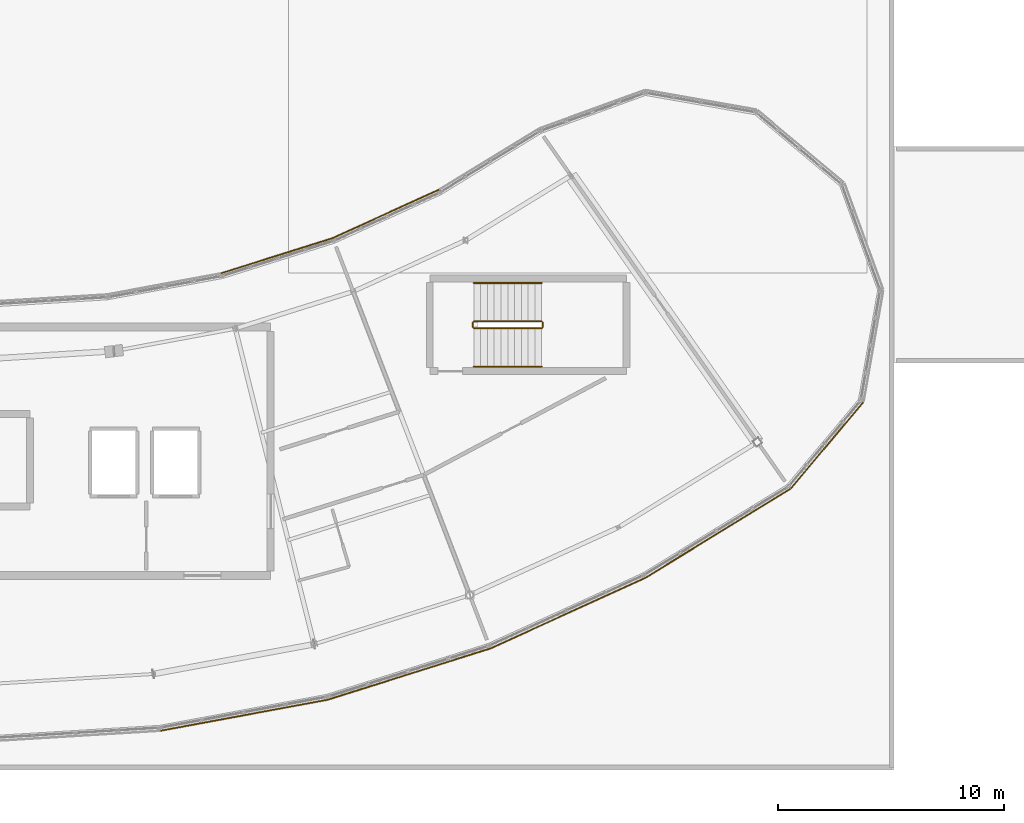
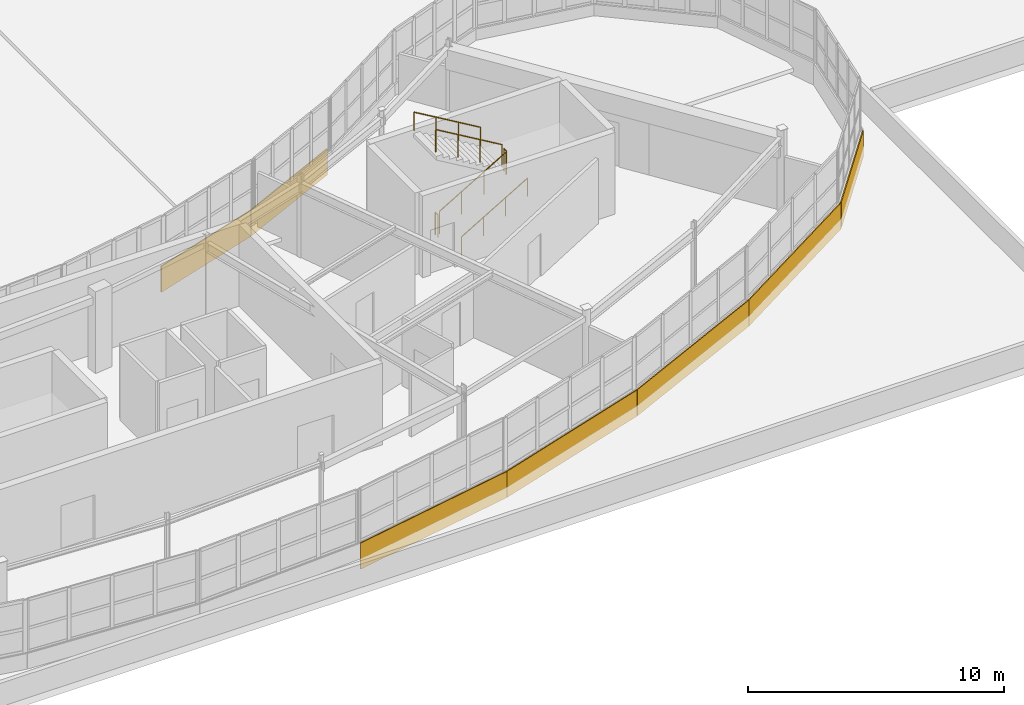
# One storey, part 117 of 128: 7 coverings, 6 railings.
"""IFC4 building model written with IfcOpenShell, lengths in metres."""

from ifc_helpers import new_model, si_unit, direction, frame, origin, origin_2d, place, context, subcontext, project, spatial, rectangle, circle, extrude, material, layer, layer_set, type_object, element, save


model = new_model("IFC4")

# Units and contexts
model_context = context("Model", 3, precision=1e-05, world=origin(), true_north=direction((0.0, 1.0)))
body_context = subcontext(model_context, "Body", "Model", "MODEL_VIEW")
ifc_project = project(units=[si_unit("LENGTHUNIT", "METRE"), si_unit("AREAUNIT", "SQUARE_METRE"), si_unit("VOLUMEUNIT", "CUBIC_METRE"), si_unit("PLANEANGLEUNIT", "RADIAN"), si_unit("MASSUNIT", "GRAM", prefix="KILO")], contexts=[model_context])

# Site, building, storey
site_placement = place(None, origin())
site = spatial("IfcSite", under=ifc_project, at=site_placement, CompositionType="ELEMENT")
building_placement = place(site_placement, origin())
building = spatial("IfcBuilding", under=site, at=building_placement, Name="Tarnwether General Hospital", CompositionType="ELEMENT")
storey_placement = place(building_placement, frame((0.0, 0.0, 14.39990234375)))
storey = spatial("IfcBuildingStorey", under=building, at=storey_placement, Name="L03", CompositionType="ELEMENT", Elevation=14.39990234375)

# Coverings
ifc_material_1 = material(Name="Streamlined white enamelled aluminium", Category="aluminium")
ifc_layer = layer(ifc_material_1, 0.044921875)
ifc_layer_set = layer_set([ifc_layer], Name="Streamlined white enamelled aluminium")
covering_type = type_object("IfcCoveringType", Name="CV-CLD-WHT", PredefinedType="CLADDING", material=ifc_layer_set)
for number, where, z_axis, x_axis, name in (
    (1, (103.22900390625, 2.4150390625, -0.1748046875), (0.0, 0.0, 1.0), (-0.983245364386, -0.182287008349, 0.0), "Streamlined White Horizontal Band SE L03 07"),
    (2, (110.528076171875, 4.235107421875, -0.1748046875), (0.0, 0.0, 1.0), (-0.953743188648, -0.300622570855, 0.0), "Streamlined White Horizontal Band SE L03 08"),
    (3, (117.552001953125, 6.929931640625, -0.1748046875), (0.0, 0.0, 1.0), (-0.909961270877, -0.414693242656, 0.0), "Streamlined White Horizontal Band SE L03 09"),
    (4, (124.194091796875, 10.4619140625, -0.1748046875), (0.0, 0.0, 1.0), (-0.852631044904, -0.522513446015, 0.0), "Streamlined White Horizontal Band SE L03 10"),
):
    element("IfcCovering", number, at=place(storey_placement, frame(where, z_axis=z_axis, x_axis=x_axis)), inside=storey, type_object=covering_type, Name=name, PredefinedType="CLADDING", context=body_context, shape_type="SweptSolid", body=[
        extrude(rectangle(XDim=7.52099609375, YDim=0.044921875, at=origin_2d()), origin(), (0.0, 0.0, 1.0), 1.25),
    ])
covering_1_placement = place(storey_placement, frame((129.031005859375, 14.35888671875, -0.1748046875), z_axis=(0.0, 0.0, 1.0), x_axis=(-0.642854457228, -0.765988346401, 0.0)))
element("IfcCovering", 5, at=covering_1_placement, inside=storey, type_object=covering_type, Name="Streamlined White Horizontal Band SE L03 11", PredefinedType="CLADDING", context=body_context, shape_type="SweptSolid", body=[
    extrude(rectangle(XDim=4.969970703125, YDim=0.044921875, at=origin_2d()), origin(), (0.0, 0.0, 1.0), 1.25),
])
covering_2_placement = place(storey_placement, frame((109.49609375, 24.610107421875, -0.1748046875), z_axis=(0.0, 0.0, 1.0), x_axis=(0.909954032975, 0.414709124413, 0.0)))
element("IfcCovering", 6, at=covering_2_placement, inside=storey, type_object=covering_type, Name="Streamlined White Horizontal Band SE L03 18", PredefinedType="CLADDING", context=body_context, shape_type="SweptSolid", body=[
    extrude(rectangle(XDim=5.177001953125, YDim=0.044921875, at=origin_2d()), origin(), (0.0, 0.0, 1.0), 1.25),
])
covering_3_placement = place(storey_placement, frame((104.68603515625, 22.762939453125, -0.1748046875), z_axis=(0.0, 0.0, 1.0), x_axis=(0.953711702297, 0.300722444959, 0.0)))
element("IfcCovering", 7, at=covering_3_placement, inside=storey, type_object=covering_type, Name="Streamlined White Horizontal Band SE L03 19", PredefinedType="CLADDING", context=body_context, shape_type="SweptSolid", body=[
    extrude(rectangle(XDim=5.177978515625, YDim=0.044921875, at=origin_2d()), origin(), (0.0, 0.0, 1.0), 1.25),
])

# Railings
ifc_material_2 = material(Name="Anodised aluminium", Category="aluminium")
railing_type_1 = type_object("IfcRailingType", Name="RL-GRD-INT", PredefinedType="GUARDRAIL", material=ifc_material_2)
railing_1_placement = place(storey_placement, frame((113.39990234375, 19.550048828125, 0.177490234375)))
element("IfcRailing", 8, at=railing_1_placement, inside=storey, type_object=railing_type_1, Name="L03 ST-10 stair guard 1", PredefinedType="GUARDRAIL", context=body_context, shape_type="SweptSolid", body=[
    extrude(circle(Radius=0.02392578125, at=origin_2d()), frame((0.0, 0.0, 1.076171875), z_axis=(0.86092931783, 0.0, 0.508724591208), x_axis=(0.0, 1.0, 0.0)), (0.0, 0.0, 1.0), 3.484619140625),
    extrude(circle(Radius=0.02099609375, at=origin_2d()), origin(), (0.0, 0.0, 1.0), 1.052001953125),
    extrude(circle(Radius=0.02099609375, at=origin_2d()), frame((1.0, 0.0, 0.5908203125)), (0.0, 0.0, 1.0), 1.052001953125),
    extrude(circle(Radius=0.02099609375, at=origin_2d()), frame((2.0, 0.0, 1.181884765625)), (0.0, 0.0, 1.0), 1.052001953125),
    extrude(circle(Radius=0.02099609375, at=origin_2d()), frame((3.0, 0.0, 1.772705078125)), (0.0, 0.0, 1.0), 1.052001953125),
])
railing_2_placement = place(storey_placement, frame((116.449951171875, 19.60009765625, 1.9501953125)))
element("IfcRailing", 9, at=railing_2_placement, inside=storey, type_object=railing_type_1, Name="L03 ST-10 stair guard 2", PredefinedType="GUARDRAIL", context=body_context, shape_type="SweptSolid", body=[
    extrude(circle(Radius=0.02392578125, at=origin_2d()), frame((0.0, 0.0, 1.076171875), z_axis=(0.0, 1.0, 0.0), x_axis=(-1.0, 0.0, 0.0)), (0.0, 0.0, 1.0), 0.199951171875),
    extrude(circle(Radius=0.02099609375, at=origin_2d()), origin(), (0.0, 0.0, 1.0), 1.052001953125),
    extrude(circle(Radius=0.02099609375, at=origin_2d()), frame((0.0, 0.199951171875, 0.0)), (0.0, 0.0, 1.0), 1.052001953125),
])
railing_3_placement = place(storey_placement, frame((116.39990234375, 19.85009765625, 2.12744140625)))
element("IfcRailing", 10, at=railing_3_placement, inside=storey, type_object=railing_type_1, Name="L03 ST-10 stair guard 3", PredefinedType="GUARDRAIL", context=body_context, shape_type="SweptSolid", body=[
    extrude(circle(Radius=0.02392578125, at=origin_2d()), frame((0.0, 0.0, 1.076171875), z_axis=(-0.86092931783, 0.0, 0.508724591208), x_axis=(0.0, -1.0, 0.0)), (0.0, 0.0, 1.0), 3.484619140625),
    extrude(circle(Radius=0.02099609375, at=origin_2d()), origin(), (0.0, 0.0, 1.0), 1.052001953125),
    extrude(circle(Radius=0.02099609375, at=origin_2d()), frame((-1.0, 0.0, 0.5908203125)), (0.0, 0.0, 1.0), 1.052001953125),
    extrude(circle(Radius=0.02099609375, at=origin_2d()), frame((-2.0, 0.0, 1.181884765625)), (0.0, 0.0, 1.0), 1.052001953125),
    extrude(circle(Radius=0.02099609375, at=origin_2d()), frame((-3.0, 0.0, 1.772705078125)), (0.0, 0.0, 1.0), 1.052001953125),
])
railing_4_placement = place(storey_placement, frame((113.35009765625, 19.60009765625, 0.0)))
element("IfcRailing", 11, at=railing_4_placement, inside=storey, type_object=railing_type_1, Name="L03 ST-10 stair guard 4", PredefinedType="GUARDRAIL", context=body_context, shape_type="SweptSolid", body=[
    extrude(circle(Radius=0.02392578125, at=origin_2d()), frame((0.0, 0.0, 1.076171875), z_axis=(0.0, 1.0, 0.0), x_axis=(-1.0, 0.0, 0.0)), (0.0, 0.0, 1.0), 0.199951171875),
    extrude(circle(Radius=0.02099609375, at=origin_2d()), origin(), (0.0, 0.0, 1.0), 1.052001953125),
    extrude(circle(Radius=0.02099609375, at=origin_2d()), frame((0.0, 0.199951171875, 0.0)), (0.0, 0.0, 1.0), 1.052001953125),
])
ifc_material_3 = material(Name="Anodised aluminium", Category="aluminium")
railing_type_2 = type_object("IfcRailingType", Name="RL-HND-INT", PredefinedType="HANDRAIL", material=ifc_material_3)
railing_5_placement = place(storey_placement, frame((113.39990234375, 17.85009765625, 0.177490234375)))
element("IfcRailing", 12, at=railing_5_placement, inside=storey, type_object=railing_type_2, Name="L03 ST-10 stair handrail 1", PredefinedType="HANDRAIL", context=body_context, shape_type="SweptSolid", body=[
    extrude(circle(Radius=0.02392578125, at=origin_2d()), frame((0.0, 0.0, 0.8759765625), z_axis=(0.86092931783, 0.0, 0.508724591208), x_axis=(0.0, 1.0, 0.0)), (0.0, 0.0, 1.0), 3.484619140625),
    extrude(circle(Radius=0.02099609375, at=origin_2d()), origin(), (0.0, 0.0, 1.0), 0.851806640625),
    extrude(circle(Radius=0.02099609375, at=origin_2d()), frame((1.0, 0.0, 0.5908203125)), (0.0, 0.0, 1.0), 0.851806640625),
    extrude(circle(Radius=0.02099609375, at=origin_2d()), frame((2.0, 0.0, 1.181884765625)), (0.0, 0.0, 1.0), 0.851806640625),
    extrude(circle(Radius=0.02099609375, at=origin_2d()), frame((3.0, 0.0, 1.772705078125)), (0.0, 0.0, 1.0), 0.851806640625),
])
railing_6_placement = place(storey_placement, frame((116.39990234375, 21.550048828125, 2.12744140625)))
element("IfcRailing", 13, at=railing_6_placement, inside=storey, type_object=railing_type_2, Name="L03 ST-10 stair handrail 2", PredefinedType="HANDRAIL", context=body_context, shape_type="SweptSolid", body=[
    extrude(circle(Radius=0.02392578125, at=origin_2d()), frame((0.0, 0.0, 0.8759765625), z_axis=(-0.86092931783, 0.0, 0.508724591208), x_axis=(0.0, -1.0, 0.0)), (0.0, 0.0, 1.0), 3.484619140625),
    extrude(circle(Radius=0.02099609375, at=origin_2d()), origin(), (0.0, 0.0, 1.0), 0.851806640625),
    extrude(circle(Radius=0.02099609375, at=origin_2d()), frame((-1.0, 0.0, 0.5908203125)), (0.0, 0.0, 1.0), 0.851806640625),
    extrude(circle(Radius=0.02099609375, at=origin_2d()), frame((-2.0, 0.0, 1.181884765625)), (0.0, 0.0, 1.0), 0.851806640625),
    extrude(circle(Radius=0.02099609375, at=origin_2d()), frame((-3.0, 0.0, 1.772705078125)), (0.0, 0.0, 1.0), 0.851806640625),
])

save(model, "model.ifc")
